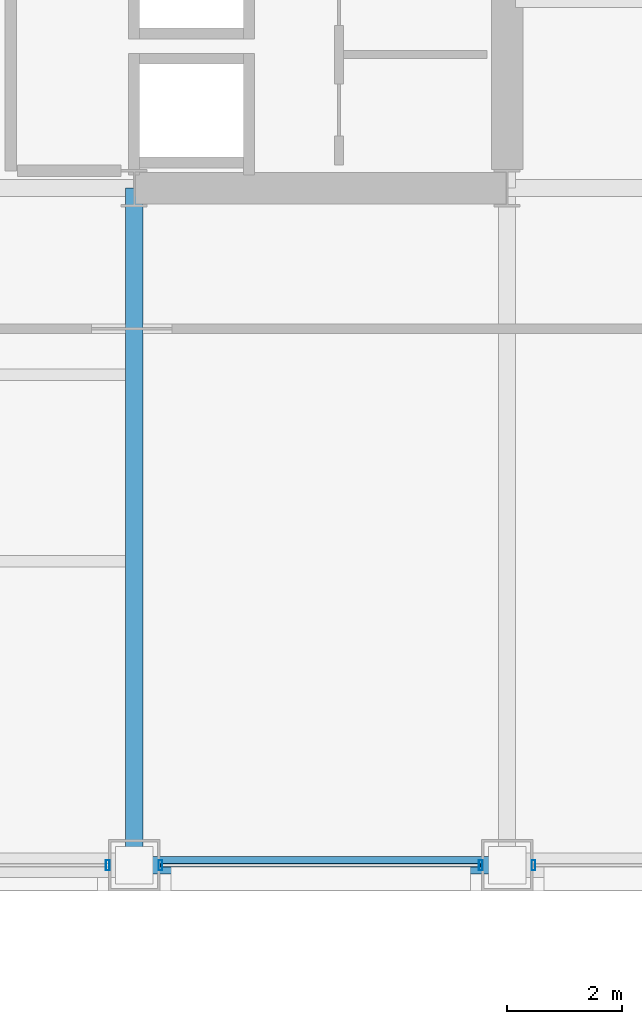
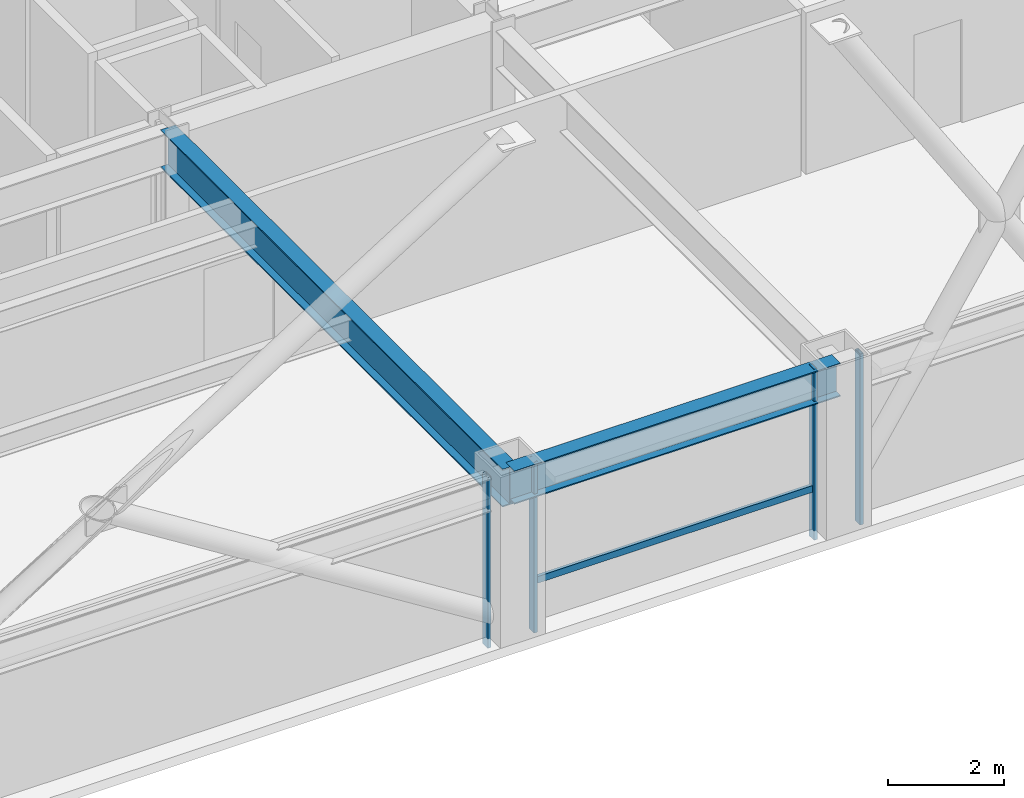
# One storey, part 9 of 29: 5 members, 2 beams, 3 elements without a shape of their own.
"""IFC4 building model written with IfcOpenShell, lengths in metres."""

from ifc_helpers import new_model, si_unit, direction, frame, origin, origin_2d, place, context, subcontext, project, spatial, hollow_rectangle, i_section, extrude, material, layer, layer_set, material_profile, profile_set, type_object, element, aggregate, save


model = new_model("IFC4")

# Units and contexts
model_context = context("Model", 3, precision=1e-05, world=origin(), true_north=direction((0.0, 1.0)))
body_context = subcontext(model_context, "Body", "Model", "MODEL_VIEW")
ifc_project = project(units=[si_unit("LENGTHUNIT", "METRE"), si_unit("AREAUNIT", "SQUARE_METRE"), si_unit("VOLUMEUNIT", "CUBIC_METRE"), si_unit("PLANEANGLEUNIT", "RADIAN"), si_unit("MASSUNIT", "GRAM", prefix="KILO")], contexts=[model_context])

# Site, building, storey
site_placement = place(None, origin())
site = spatial("IfcSite", under=ifc_project, at=site_placement, CompositionType="ELEMENT")
building_placement = place(site_placement, origin())
building = spatial("IfcBuilding", under=site, at=building_placement, Name="Brelmoor Portico Tower", CompositionType="ELEMENT")
storey_placement = place(building_placement, frame((0.0, 0.0, 67.199951171875)))
storey = spatial("IfcBuildingStorey", under=building, at=storey_placement, Name="L17", CompositionType="ELEMENT", Elevation=67.199951171875)

# Beams
ifc_material_1 = material(Name="Steel Q355B", Category="steel")
ifc_material_profile_1 = material_profile(ifc_material_1, i_section(OverallWidth=0.300048828125, OverallDepth=0.800048828125, WebThickness=0.013916015625, FlangeThickness=0.02587890625, at=origin_2d()), Name="HN 800x300x14x26")
ifc_profile_set_1 = profile_set([ifc_material_profile_1], Name="Steel Q355B")
beam_type_1 = type_object("IfcBeamType", Name="BM-PG-800", PredefinedType="BEAM", material=ifc_profile_set_1)
beam_1_placement = place(storey_placement, frame((8.050048828125, -21.550048828125, 3.0), z_axis=(0.0, 1.0, 0.0), x_axis=(-1.0, 0.0, 0.0)))
element("IfcBeam", 1, at=beam_1_placement, inside=storey, type_object=beam_type_1, Name="L17 Primary Floor Girder PG-09", PredefinedType="BEAM", context=body_context, shape_type="SweptSolid", body=[
    extrude(i_section(OverallWidth=0.300048828125, OverallDepth=0.800048828125, WebThickness=0.013916015625, FlangeThickness=0.02587890625, at=origin_2d()), origin(), (0.0, 0.0, 1.0), 11.800048828125),
])
ifc_material_profile_2 = material_profile(ifc_material_1, i_section(OverallWidth=0.300048828125, OverallDepth=0.699951171875, WebThickness=0.012939453125, FlangeThickness=0.02392578125, at=origin_2d()), Name="HN 700x300x13x24")
ifc_profile_set_2 = profile_set([ifc_material_profile_2], Name="Steel Q355B")
beam_type_2 = type_object("IfcBeamType", Name="BM-SP-700", PredefinedType="SPANDREL", material=ifc_profile_set_2)
beam_2_placement = place(storey_placement, frame((8.050048828125, -21.550048828125, 3.050048828125), z_axis=(1.0, 0.0, 0.0), x_axis=(0.0, 1.0, 0.0)))
element("IfcBeam", 2, at=beam_2_placement, inside=storey, type_object=beam_type_2, Name="L17 Perimeter Spandrel Beam SP-04", PredefinedType="SPANDREL", context=body_context, shape_type="SweptSolid", body=[
    extrude(i_section(OverallWidth=0.300048828125, OverallDepth=0.699951171875, WebThickness=0.012939453125, FlangeThickness=0.02392578125, at=origin_2d()), origin(), (0.0, 0.0, 1.0), 6.5),
])

# Curtain wall, member
ifc_material_2 = material(Name="Anodised Aluminium Alloy 6063-T6", Category="aluminium")
ifc_layer_1 = layer(ifc_material_2, 0.179931640625)
ifc_layer_set_1 = layer_set([ifc_layer_1], Name="Anodised Aluminium Alloy 6063-T6")
curtain_wall_type_1 = type_object("IfcCurtainWallType", Name="CW-TOWER-Z1-XB", PredefinedType="NOTDEFINED", material=ifc_layer_set_1)
curtain_wall_1_placement = place(storey_placement, origin())
curtain_wall_1 = element("IfcCurtainWall", 3, at=curtain_wall_1_placement, inside=storey, type_object=curtain_wall_type_1, Name="L17 Curtain Wall CW-L17-1R-2", PredefinedType="NOTDEFINED")
ifc_material_profile_3 = material_profile(ifc_material_2, hollow_rectangle(XDim=0.06494140625, YDim=0.179931640625, WallThickness=0.00390625, at=origin_2d()), Name="ALU MULLION 65x180")
ifc_profile_set_3 = profile_set([ifc_material_profile_3], Name="Anodised Aluminium Alloy 6063-T6")
member_type_1 = type_object("IfcMemberType", Name="MB-CW-MULL-180", PredefinedType="MULLION", material=ifc_profile_set_3)
member_1_placement = place(storey_placement, frame((7.590087890625, -21.550048828125, -0.199951171875), z_axis=(0.0, 0.0, 1.0), x_axis=(1.0, 0.0, 0.0)))
member_1 = element("IfcMember", 4, at=member_1_placement, type_object=member_type_1, Name="CW-L17-1R-2 Mullion 01", PredefinedType="MULLION", context=body_context, shape_type="SweptSolid", body=[
    extrude(hollow_rectangle(XDim=0.06494140625, YDim=0.179931640625, WallThickness=0.00390625, at=origin_2d()), origin(), (0.0, 0.0, 1.0), 3.60009765625),
])
aggregate(curtain_wall_1, [member_1])

# Curtain wall, members
ifc_layer_2 = layer(ifc_material_2, 0.179931640625)
ifc_layer_set_2 = layer_set([ifc_layer_2], Name="Anodised Aluminium Alloy 6063-T6")
curtain_wall_type_2 = type_object("IfcCurtainWallType", Name="CW-TOWER-Z1", PredefinedType="NOTDEFINED", material=ifc_layer_set_2)
curtain_wall_2_placement = place(storey_placement, origin())
curtain_wall_2 = element("IfcCurtainWall", 5, at=curtain_wall_2_placement, inside=storey, type_object=curtain_wall_type_2, Name="L17 Curtain Wall CW-L17-1R-3", PredefinedType="NOTDEFINED")
member_2_placement = place(storey_placement, frame((8.510009765625, -21.550048828125, -0.199951171875), z_axis=(0.0, 0.0, 1.0), x_axis=(1.0, 0.0, 0.0)))
member_2 = element("IfcMember", 6, at=member_2_placement, type_object=member_type_1, Name="CW-L17-1R-3 Mullion 00", PredefinedType="MULLION", context=body_context, shape_type="SweptSolid", body=[
    extrude(hollow_rectangle(XDim=0.06494140625, YDim=0.179931640625, WallThickness=0.00390625, at=origin_2d()), origin(), (0.0, 0.0, 1.0), 3.60009765625),
])
member_3_placement = place(storey_placement, frame((14.090087890625, -21.550048828125, -0.199951171875), z_axis=(0.0, 0.0, 1.0), x_axis=(1.0, 0.0, 0.0)))
member_3 = element("IfcMember", 7, at=member_3_placement, type_object=member_type_1, Name="CW-L17-1R-3 Mullion 01", PredefinedType="MULLION", context=body_context, shape_type="SweptSolid", body=[
    extrude(hollow_rectangle(XDim=0.06494140625, YDim=0.179931640625, WallThickness=0.00390625, at=origin_2d()), origin(), (0.0, 0.0, 1.0), 3.60009765625),
])

# Curtain wall, member
curtain_wall_3_placement = place(storey_placement, origin())
curtain_wall_3 = element("IfcCurtainWall", 8, at=curtain_wall_3_placement, inside=storey, type_object=curtain_wall_type_1, Name="L17 Curtain Wall CW-L17-1R-4", PredefinedType="NOTDEFINED")
member_4_placement = place(storey_placement, frame((15.010009765625, -21.550048828125, -0.199951171875), z_axis=(0.0, 0.0, 1.0), x_axis=(1.0, 0.0, 0.0)))
member_4 = element("IfcMember", 9, at=member_4_placement, type_object=member_type_1, Name="CW-L17-1R-4 Mullion 00", PredefinedType="MULLION", context=body_context, shape_type="SweptSolid", body=[
    extrude(hollow_rectangle(XDim=0.06494140625, YDim=0.179931640625, WallThickness=0.00390625, at=origin_2d()), origin(), (0.0, 0.0, 1.0), 3.60009765625),
])
aggregate(curtain_wall_3, [member_4])

# Member
ifc_material_profile_4 = material_profile(ifc_material_2, hollow_rectangle(XDim=0.06494140625, YDim=0.139892578125, WallThickness=0.00390625, at=origin_2d()), Name="ALU TRANSOM 65x140")
ifc_profile_set_4 = profile_set([ifc_material_profile_4], Name="Anodised Aluminium Alloy 6063-T6")
member_type_2 = type_object("IfcMemberType", Name="MB-CW-TRAN-140", PredefinedType="USERDEFINED", material=ifc_profile_set_4)
member_5_placement = place(storey_placement, frame((8.510009765625, -21.550048828125, 0.85009765625), z_axis=(1.0, 0.0, 0.0), x_axis=(0.0, 1.0, 0.0)))
member_5 = element("IfcMember", 10, at=member_5_placement, type_object=member_type_2, Name="CW-L17-1R-3 Transom 1-00", ObjectType="TRANSOM", PredefinedType="USERDEFINED", context=body_context, shape_type="SweptSolid", body=[
    extrude(hollow_rectangle(XDim=0.06494140625, YDim=0.139892578125, WallThickness=0.00390625, at=origin_2d()), origin(), (0.0, 0.0, 1.0), 5.580078125),
])

aggregate(curtain_wall_2, [member_2, member_3, member_5])

save(model, "model.ifc")
